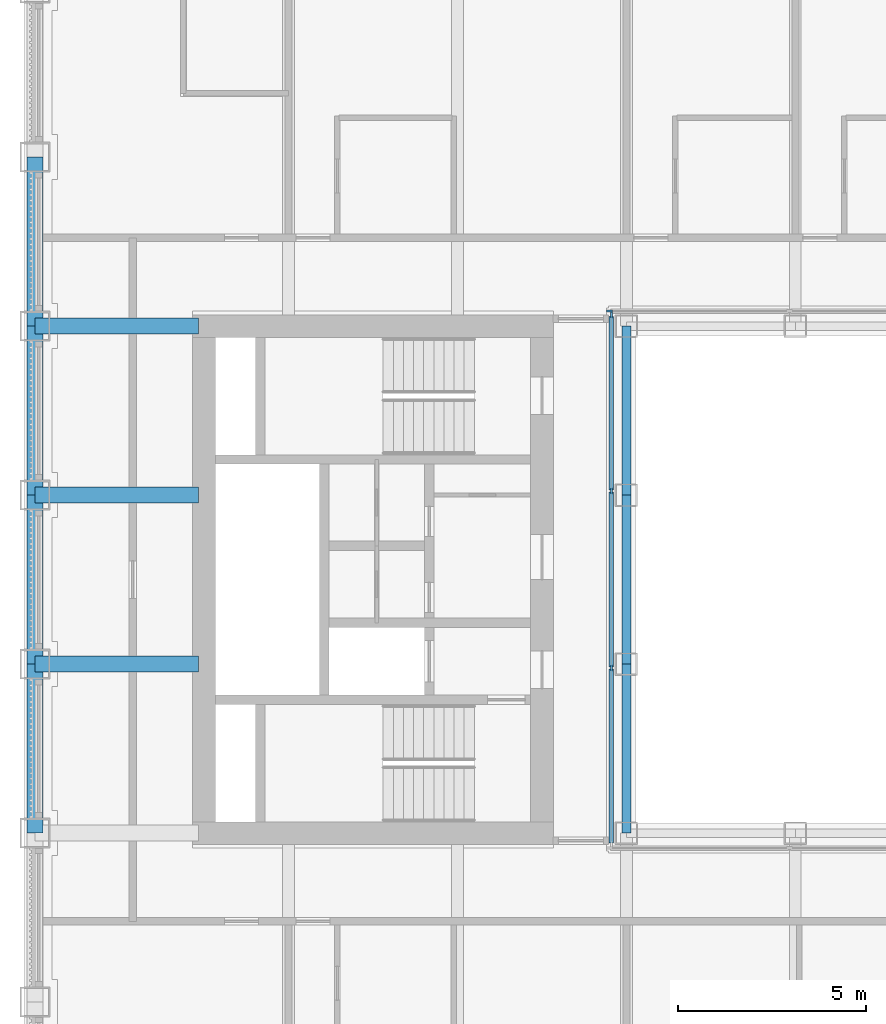
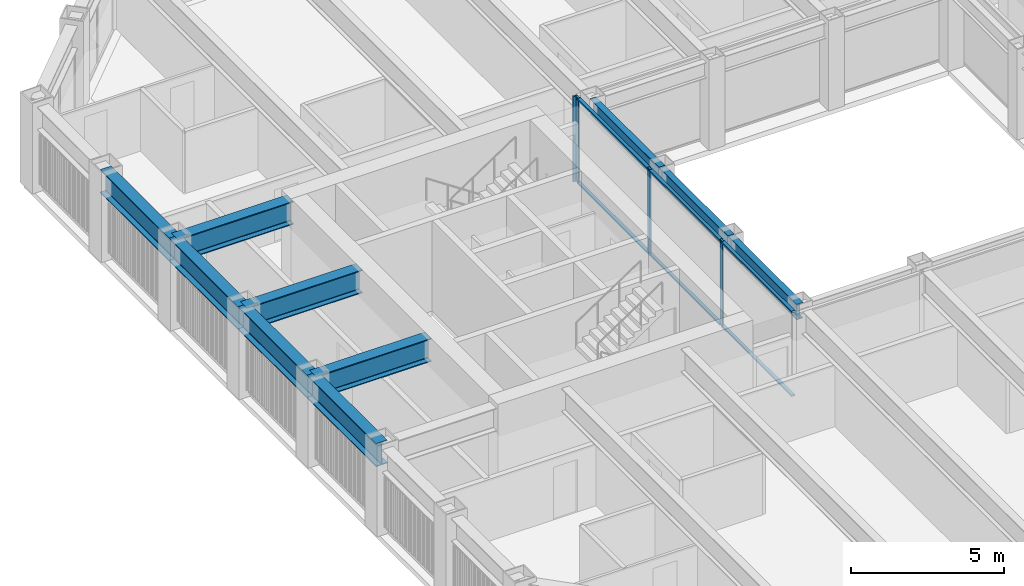
# One storey, part 4 of 17: 10 beams, 10 members, 2 elements without a shape of their own.
"""IFC4 building model written with IfcOpenShell, lengths in metres."""

from ifc_helpers import new_model, si_unit, direction, frame, origin, origin_2d, place, context, subcontext, project, spatial, rectangle, i_section, extrude, material, material_profile, profile_set, type_object, element, aggregate, save


model = new_model("IFC4")

# Units and contexts
model_context = context("Model", 3, precision=1e-05, world=origin(), true_north=direction((0.0, 1.0)))
body_context = subcontext(model_context, "Body", "Model", "MODEL_VIEW")
ifc_project = project(units=[si_unit("LENGTHUNIT", "METRE"), si_unit("AREAUNIT", "SQUARE_METRE"), si_unit("VOLUMEUNIT", "CUBIC_METRE"), si_unit("PLANEANGLEUNIT", "RADIAN"), si_unit("MASSUNIT", "GRAM", prefix="KILO")], contexts=[model_context])

# Site, building, storey
site_placement = place(None, origin())
site = spatial("IfcSite", under=ifc_project, at=site_placement, CompositionType="ELEMENT")
building_placement = place(site_placement, origin())
building = spatial("IfcBuilding", under=site, at=building_placement, Name="Msasa Ring Tower", CompositionType="ELEMENT")
storey_placement = place(building_placement, frame((0.0, 0.0, 165.199951171875)))
storey = spatial("IfcBuildingStorey", under=building, at=storey_placement, Name="L43", CompositionType="ELEMENT", Elevation=165.199951171875)

# Curtain wall, member
ifc_material_1 = material(Name="Aluminium curtain wall with clear glass", Category="aluminium")
curtain_wall_type = type_object("IfcCurtainWallType", Name="CW-W LIGHT WELL CURTAIN WALL", PredefinedType="NOTDEFINED", material=ifc_material_1)
curtain_wall_1_placement = place(storey_placement, origin())
curtain_wall_1 = element("IfcCurtainWall", 1, at=curtain_wall_1_placement, inside=storey, type_object=curtain_wall_type, Name="Light well curtain wall N L43", PredefinedType="NOTDEFINED")
ifc_material_2 = material(Name="Aluminium mullion", Category="aluminium")
ifc_material_profile_1 = material_profile(ifc_material_2, rectangle(XDim=0.06005859375, YDim=0.159912109375, at=origin_2d()), Name="AL 60x160")
ifc_profile_set_1 = profile_set([ifc_material_profile_1], Name="Aluminium mullion")
member_type_1 = type_object("IfcMemberType", Name="CW-W MULLION 60x160", PredefinedType="MULLION", material=ifc_profile_set_1)
member_1_placement = place(storey_placement, frame((-7.199951171875, 7.14990234375, 0.0), z_axis=(0.0, 0.0, 1.0), x_axis=(0.0, 1.0, 0.0)))
member_1 = element("IfcMember", 2, at=member_1_placement, type_object=member_type_1, Name="CW-W mullion 1", PredefinedType="MULLION", context=body_context, shape_type="SweptSolid", body=[
    extrude(rectangle(XDim=0.06005859375, YDim=0.159912109375, at=origin_2d()), origin(), (0.0, 0.0, 1.0), 3.400146484375),
])
aggregate(curtain_wall_1, [member_1])

# Curtain wall, members
curtain_wall_2_placement = place(storey_placement, origin())
curtain_wall_2 = element("IfcCurtainWall", 3, at=curtain_wall_2_placement, inside=storey, type_object=curtain_wall_type, Name="Light well curtain wall W L43", PredefinedType="NOTDEFINED")
member_2_placement = place(storey_placement, frame((-7.14990234375, -2.356689453125, 0.0), z_axis=(0.0, 0.0, 1.0), x_axis=(-1.0, 0.0, 0.0)))
member_2 = element("IfcMember", 4, at=member_2_placement, type_object=member_type_1, Name="CW-W mullion 2", PredefinedType="MULLION", context=body_context, shape_type="SweptSolid", body=[
    extrude(rectangle(XDim=0.06005859375, YDim=0.159912109375, at=origin_2d()), origin(), (0.0, 0.0, 1.0), 3.400146484375),
])
member_3_placement = place(storey_placement, frame((-7.14990234375, 2.356689453125, 0.0), z_axis=(0.0, 0.0, 1.0), x_axis=(-1.0, 0.0, 0.0)))
member_3 = element("IfcMember", 5, at=member_3_placement, type_object=member_type_1, Name="CW-W mullion 3", PredefinedType="MULLION", context=body_context, shape_type="SweptSolid", body=[
    extrude(rectangle(XDim=0.06005859375, YDim=0.159912109375, at=origin_2d()), origin(), (0.0, 0.0, 1.0), 3.400146484375),
])
member_4_placement = place(storey_placement, frame((-7.14990234375, 7.0400390625, 0.0), z_axis=(0.0, 0.0, 1.0), x_axis=(-1.0, 0.0, 0.0)))
member_4 = element("IfcMember", 6, at=member_4_placement, type_object=member_type_1, Name="CW-W mullion 4", PredefinedType="MULLION", context=body_context, shape_type="SweptSolid", body=[
    extrude(rectangle(XDim=0.06005859375, YDim=0.159912109375, at=origin_2d()), origin(), (0.0, 0.0, 1.0), 3.400146484375),
])
ifc_material_3 = material(Name="Aluminium transom", Category="aluminium")
ifc_material_profile_2 = material_profile(ifc_material_3, rectangle(XDim=0.1201171875, YDim=0.06005859375, at=origin_2d()), Name="AL 60x120")
ifc_profile_set_2 = profile_set([ifc_material_profile_2], Name="Aluminium transom")
member_type_2 = type_object("IfcMemberType", Name="CW-W TRANSOM 60x120", PredefinedType="USERDEFINED", material=ifc_profile_set_2)
member_5_placement = place(storey_placement, frame((-7.14990234375, -7.010009765625, 0.030029296875), z_axis=(0.0, 1.0, 0.0), x_axis=(-1.0, 0.0, 0.0)))
member_5 = element("IfcMember", 7, at=member_5_placement, type_object=member_type_2, Name="CW-W transom 1.1", ObjectType="TRANSOM", PredefinedType="USERDEFINED", context=body_context, shape_type="SweptSolid", body=[
    extrude(rectangle(XDim=0.1201171875, YDim=0.06005859375, at=origin_2d()), origin(), (0.0, 0.0, 1.0), 4.623291015625),
])
member_6_placement = place(storey_placement, frame((-7.14990234375, -7.010009765625, 3.3701171875), z_axis=(0.0, 1.0, 0.0), x_axis=(-1.0, 0.0, 0.0)))
member_6 = element("IfcMember", 8, at=member_6_placement, type_object=member_type_2, Name="CW-W transom 1.2", ObjectType="TRANSOM", PredefinedType="USERDEFINED", context=body_context, shape_type="SweptSolid", body=[
    extrude(rectangle(XDim=0.1201171875, YDim=0.06005859375, at=origin_2d()), origin(), (0.0, 0.0, 1.0), 4.623291015625),
])
member_7_placement = place(storey_placement, frame((-7.14990234375, -2.32666015625, 0.030029296875), z_axis=(0.0, 1.0, 0.0), x_axis=(-1.0, 0.0, 0.0)))
member_7 = element("IfcMember", 9, at=member_7_placement, type_object=member_type_2, Name="CW-W transom 2.1", ObjectType="TRANSOM", PredefinedType="USERDEFINED", context=body_context, shape_type="SweptSolid", body=[
    extrude(rectangle(XDim=0.1201171875, YDim=0.06005859375, at=origin_2d()), origin(), (0.0, 0.0, 1.0), 4.6533203125),
])
member_8_placement = place(storey_placement, frame((-7.14990234375, -2.32666015625, 3.3701171875), z_axis=(0.0, 1.0, 0.0), x_axis=(-1.0, 0.0, 0.0)))
member_8 = element("IfcMember", 10, at=member_8_placement, type_object=member_type_2, Name="CW-W transom 2.2", ObjectType="TRANSOM", PredefinedType="USERDEFINED", context=body_context, shape_type="SweptSolid", body=[
    extrude(rectangle(XDim=0.1201171875, YDim=0.06005859375, at=origin_2d()), origin(), (0.0, 0.0, 1.0), 4.6533203125),
])
member_9_placement = place(storey_placement, frame((-7.14990234375, 2.38671875, 0.030029296875), z_axis=(0.0, 1.0, 0.0), x_axis=(-1.0, 0.0, 0.0)))
member_9 = element("IfcMember", 11, at=member_9_placement, type_object=member_type_2, Name="CW-W transom 3.1", ObjectType="TRANSOM", PredefinedType="USERDEFINED", context=body_context, shape_type="SweptSolid", body=[
    extrude(rectangle(XDim=0.1201171875, YDim=0.06005859375, at=origin_2d()), origin(), (0.0, 0.0, 1.0), 4.623291015625),
])
member_10_placement = place(storey_placement, frame((-7.14990234375, 2.38671875, 3.3701171875), z_axis=(0.0, 1.0, 0.0), x_axis=(-1.0, 0.0, 0.0)))
member_10 = element("IfcMember", 12, at=member_10_placement, type_object=member_type_2, Name="CW-W transom 3.2", ObjectType="TRANSOM", PredefinedType="USERDEFINED", context=body_context, shape_type="SweptSolid", body=[
    extrude(rectangle(XDim=0.1201171875, YDim=0.06005859375, at=origin_2d()), origin(), (0.0, 0.0, 1.0), 4.623291015625),
])
aggregate(curtain_wall_2, [member_2, member_3, member_4, member_5, member_6, member_7, member_8, member_9, member_10])

# Beams
ifc_material_4 = material(Name="Steel S355", Category="steel")
ifc_material_profile_3 = material_profile(ifc_material_4, i_section(OverallWidth=0.42041015625, OverallDepth=0.9208984375, WebThickness=0.021484375, FlangeThickness=0.03662109375, FilletRadius=0.024169921875, at=origin_2d()), Name="UB 914x419x388")
ifc_profile_set_3 = profile_set([ifc_material_profile_3], Name="Steel S355")
beam_type_1 = type_object("IfcBeamType", Name="FB2 UB 914x419x388", PredefinedType="BEAM", material=ifc_profile_set_3)
for number, where, z_axis, x_axis, name in (
    (13, (-22.5, -2.25, 2.939453125), (1.0, 0.0, 0.0), (0.0, 1.0, 0.0), "Floor beam W -2.25 under L44"),
    (14, (-22.5, 2.25, 2.939453125), (1.0, 0.0, 0.0), (0.0, 1.0, 0.0), "Floor beam W +2.25 under L44"),
):
    element("IfcBeam", number, at=place(storey_placement, frame(where, z_axis=z_axis, x_axis=x_axis)), inside=storey, type_object=beam_type_1, Name=name, PredefinedType="BEAM", context=body_context, shape_type="SweptSolid", body=[
        extrude(i_section(OverallWidth=0.42041015625, OverallDepth=0.9208984375, WebThickness=0.021484375, FlangeThickness=0.03662109375, FilletRadius=0.024169921875, at=origin_2d()), origin(), (0.0, 0.0, 1.0), 4.35009765625),
    ])
ifc_material_5 = material(Name="Steel S355", Category="steel")
ifc_material_profile_4 = material_profile(ifc_material_5, i_section(OverallWidth=0.42041015625, OverallDepth=0.9208984375, WebThickness=0.021484375, FlangeThickness=0.03662109375, FilletRadius=0.024169921875, at=origin_2d()), Name="UB 914x419x388")
ifc_profile_set_4 = profile_set([ifc_material_profile_4], Name="Steel S355")
beam_type_2 = type_object("IfcBeamType", Name="GB1 UB 914x419x388", PredefinedType="BEAM", material=ifc_profile_set_4)
beam_placement = place(storey_placement, frame((-18.14990234375, 6.75, 2.939453125), z_axis=(-1.0, 0.0, 0.0), x_axis=(0.0, -1.0, 0.0)))
element("IfcBeam", 15, at=beam_placement, inside=storey, type_object=beam_type_2, Name="Girder W +6.75 under L44", PredefinedType="BEAM", context=body_context, shape_type="SweptSolid", body=[
    extrude(i_section(OverallWidth=0.42041015625, OverallDepth=0.9208984375, WebThickness=0.021484375, FlangeThickness=0.03662109375, FilletRadius=0.024169921875, at=origin_2d()), origin(), (0.0, 0.0, 1.0), 4.35009765625),
])
ifc_material_6 = material(Name="Steel S355", Category="steel")
ifc_material_profile_5 = material_profile(ifc_material_6, i_section(OverallWidth=0.230224609375, OverallDepth=0.6171875, WebThickness=0.01318359375, FlangeThickness=0.022216796875, FilletRadius=0.0126953125, at=origin_2d()), Name="UB 610x229x140")
ifc_profile_set_5 = profile_set([ifc_material_profile_5], Name="Steel S355")
beam_type_3 = type_object("IfcBeamType", Name="RB1 UB 610x229x140", PredefinedType="BEAM", material=ifc_profile_set_5)
for number, where, z_axis, x_axis, name in (
    (16, (-6.75, -2.25, 3.091552734375), (0.0, -1.0, 0.0), (1.0, 0.0, 0.0), "Inner ring beam IR-6.75-2.25 under L44"),
    (17, (-6.75, 6.75, 3.091552734375), (0.0, -1.0, 0.0), (1.0, 0.0, 0.0), "Inner ring beam IR-6.75+6.75 under L44"),
    (18, (-6.75, 2.25, 3.091552734375), (0.0, -1.0, 0.0), (1.0, 0.0, 0.0), "Inner ring beam IR-6.75+2.25 under L44"),
):
    element("IfcBeam", number, at=place(storey_placement, frame(where, z_axis=z_axis, x_axis=x_axis)), inside=storey, type_object=beam_type_3, Name=name, PredefinedType="BEAM", context=body_context, shape_type="SweptSolid", body=[
        extrude(i_section(OverallWidth=0.230224609375, OverallDepth=0.6171875, WebThickness=0.01318359375, FlangeThickness=0.022216796875, FilletRadius=0.0126953125, at=origin_2d()), origin(), (0.0, 0.0, 1.0), 4.5),
    ])
ifc_material_7 = material(Name="Steel S355", Category="steel")
ifc_material_profile_6 = material_profile(ifc_material_7, i_section(OverallWidth=0.42041015625, OverallDepth=0.9208984375, WebThickness=0.021484375, FlangeThickness=0.03662109375, FilletRadius=0.024169921875, at=origin_2d()), Name="UB 914x419x388")
ifc_profile_set_6 = profile_set([ifc_material_profile_6], Name="Steel S355")
beam_type_4 = type_object("IfcBeamType", Name="SB1 UB 914x419x388", PredefinedType="SPANDREL", material=ifc_profile_set_6)
for number, where, z_axis, x_axis, name in (
    (19, (-22.5, -2.25, 2.939453125), (0.0, -1.0, 0.0), (1.0, 0.0, 0.0), "Spandrel W-2.25 to W-6.75 under L44"),
    (20, (-22.5, 11.25, 2.939453125), (0.0, -1.0, 0.0), (1.0, 0.0, 0.0), "Spandrel W+11.25 to W+6.75 under L44"),
    (21, (-22.5, 6.75, 2.939453125), (0.0, -1.0, 0.0), (1.0, 0.0, 0.0), "Spandrel W+6.75 to W+2.25 under L44"),
    (22, (-22.5, 2.25, 2.939453125), (0.0, -1.0, 0.0), (1.0, 0.0, 0.0), "Spandrel W+2.25 to W-2.25 under L44"),
):
    element("IfcBeam", number, at=place(storey_placement, frame(where, z_axis=z_axis, x_axis=x_axis)), inside=storey, type_object=beam_type_4, Name=name, PredefinedType="SPANDREL", context=body_context, shape_type="SweptSolid", body=[
        extrude(i_section(OverallWidth=0.42041015625, OverallDepth=0.9208984375, WebThickness=0.021484375, FlangeThickness=0.03662109375, FilletRadius=0.024169921875, at=origin_2d()), origin(), (0.0, 0.0, 1.0), 4.5),
    ])

save(model, "model.ifc")
